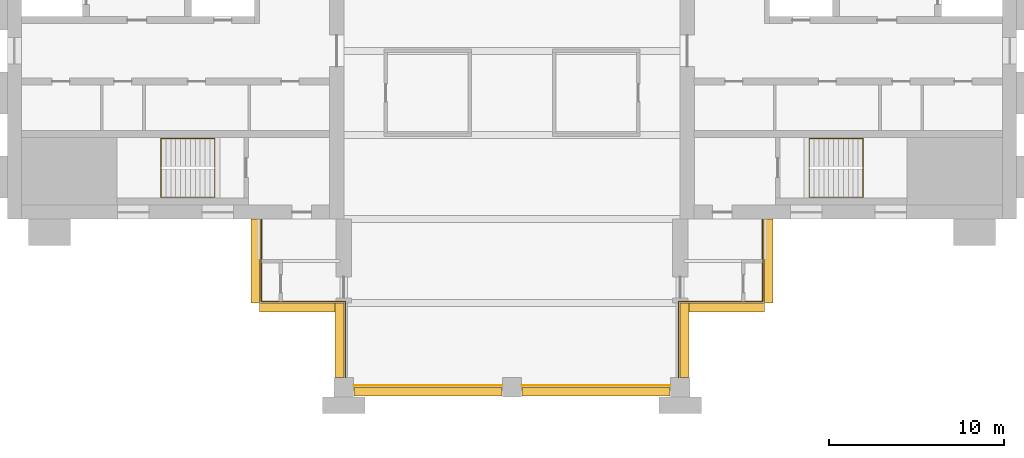
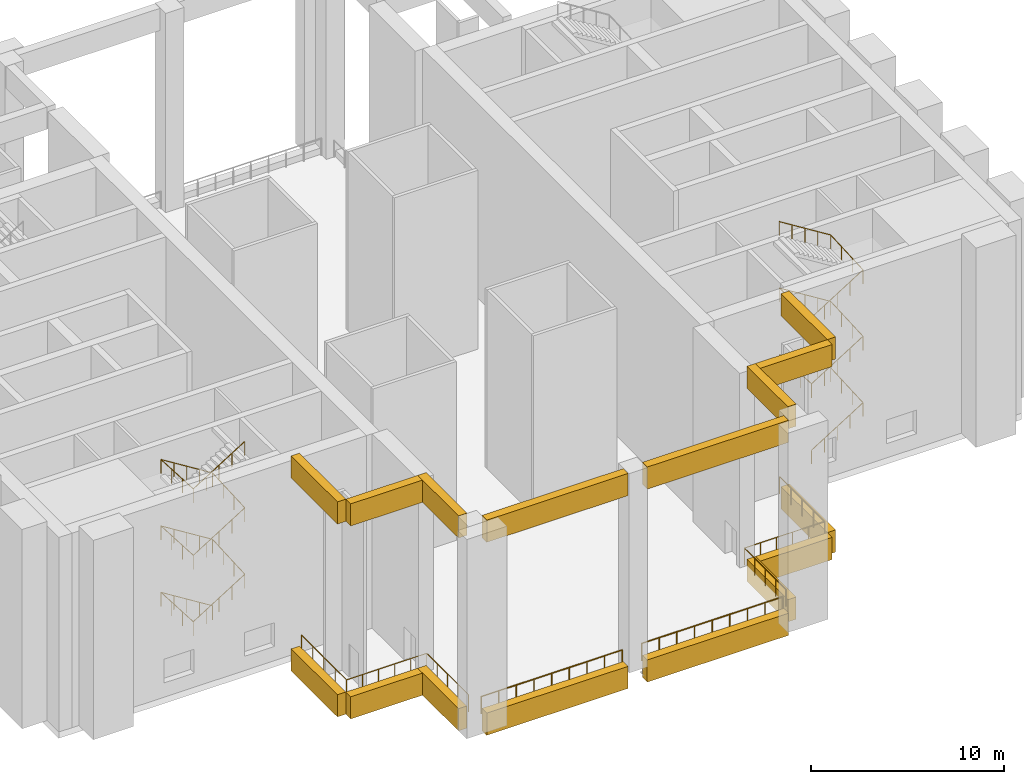
# One storey, part 7 of 8: 16 coverings, 6 railings.
"""IFC4 building model written with IfcOpenShell, lengths in metres."""

from ifc_helpers import new_model, si_unit, direction, frame, origin, origin_2d, place, context, subcontext, project, spatial, polyline, circle, outline, extrude, material, type_object, element, save


model = new_model("IFC4")

# Units and contexts
model_context = context("Model", 3, precision=1e-05, world=origin(), true_north=direction((0.0, 1.0)))
body_context = subcontext(model_context, "Body", "Model", "MODEL_VIEW")
ifc_project = project(units=[si_unit("LENGTHUNIT", "METRE"), si_unit("AREAUNIT", "SQUARE_METRE"), si_unit("VOLUMEUNIT", "CUBIC_METRE"), si_unit("PLANEANGLEUNIT", "RADIAN"), si_unit("MASSUNIT", "GRAM", prefix="KILO")], contexts=[model_context])

# Site, building, storey
site_placement = place(None, origin())
site = spatial("IfcSite", under=ifc_project, at=site_placement, CompositionType="ELEMENT")
building_placement = place(site_placement, origin())
building = spatial("IfcBuilding", under=site, at=building_placement, Name="Baori Bourse Tower", CompositionType="ELEMENT")
storey_placement = place(building_placement, frame((0.0, 0.0, 269.699951171875)))
storey = spatial("IfcBuildingStorey", under=building, at=storey_placement, Name="L60", CompositionType="ELEMENT", Elevation=269.699951171875)

# Railings
ifc_material_1 = material(Name="Powder-coated steel balustrade", Category="steel")
railing_type_1 = type_object("IfcRailingType", Name="Core stair handrail", PredefinedType="HANDRAIL", material=ifc_material_1)
railing_1_placement = place(storey_placement, frame((11.85009765625, 14.199951171875, 0.175048828125)))
element("IfcRailing", 1, at=railing_1_placement, inside=storey, type_object=railing_type_1, Name="L60 ST1 stair handrail 1", PredefinedType="HANDRAIL", context=body_context, shape_type="SweptSolid", body=[
    extrude(circle(Radius=0.02392578125, at=origin_2d()), frame((0.0, 0.0, 0.8759765625), z_axis=(-0.847998304005, 0.0, 0.529998940003), x_axis=(0.0, -1.0, 0.0)), (0.0, 0.0, 1.0), 3.632080078125),
    extrude(circle(Radius=0.02392578125, at=origin_2d()), frame((-3.080078125, 0.0, 2.80078125), z_axis=(0.0, -0.99863746249, 0.052184466191), x_axis=(1.0, 0.0, 0.0)), (0.0, 0.0, 1.0), 3.3544921875),
    extrude(circle(Radius=0.02392578125, at=origin_2d()), frame((-3.080078125, -3.349853515625, 2.97607421875), z_axis=(0.848028513186, 0.0, 0.529950602248), x_axis=(0.0, 1.0, 0.0)), (0.0, 0.0, 1.0), 3.632080078125),
    extrude(circle(Radius=0.02392578125, at=origin_2d()), frame((0.0, -3.349853515625, 4.90087890625), z_axis=(0.0, 0.99863746249, 0.052184466191), x_axis=(-1.0, 0.0, 0.0)), (0.0, 0.0, 1.0), 3.3544921875),
    extrude(circle(Radius=0.02392578125, at=origin_2d()), frame((0.0, 0.0, 5.07568359375), z_axis=(-0.847998304005, 0.0, 0.529998940003), x_axis=(0.0, -1.0, 0.0)), (0.0, 0.0, 1.0), 3.632080078125),
    extrude(circle(Radius=0.02392578125, at=origin_2d()), frame((-3.080078125, 0.0, 7.0009765625), z_axis=(0.0, -0.99863746249, 0.052184466191), x_axis=(1.0, 0.0, 0.0)), (0.0, 0.0, 1.0), 3.3544921875),
    extrude(circle(Radius=0.02392578125, at=origin_2d()), frame((-3.080078125, -3.349853515625, 7.17578125), z_axis=(0.847998304005, 0.0, 0.529998940003), x_axis=(0.0, 1.0, 0.0)), (0.0, 0.0, 1.0), 3.632080078125),
    extrude(circle(Radius=0.02392578125, at=origin_2d()), frame((0.0, -3.349853515625, 9.10107421875), z_axis=(0.0, 0.998641252765, 0.052111882296), x_axis=(-1.0, 0.0, 0.0)), (0.0, 0.0, 1.0), 3.3544921875),
    extrude(circle(Radius=0.02392578125, at=origin_2d()), frame((0.0, 0.0, 9.27587890625), z_axis=(-0.847998304005, 0.0, 0.529998940003), x_axis=(0.0, -1.0, 0.0)), (0.0, 0.0, 1.0), 3.632080078125),
    extrude(circle(Radius=0.02392578125, at=origin_2d()), frame((-3.080078125, 0.0, 11.20068359375), z_axis=(0.0, -0.99863746249, 0.052184466191), x_axis=(1.0, 0.0, 0.0)), (0.0, 0.0, 1.0), 3.3544921875),
    extrude(circle(Radius=0.02392578125, at=origin_2d()), frame((-3.080078125, -3.349853515625, 11.3759765625), z_axis=(0.847998304005, 0.0, 0.529998940003), x_axis=(0.0, 1.0, 0.0)), (0.0, 0.0, 1.0), 3.632080078125),
    extrude(circle(Radius=0.02099609375, at=origin_2d()), origin(), (0.0, 0.0, 1.0), 0.851806640625),
    extrude(circle(Radius=0.02099609375, at=origin_2d()), frame((-0.77001953125, 0.0, 0.481201171875)), (0.0, 0.0, 1.0), 0.851806640625),
    extrude(circle(Radius=0.02099609375, at=origin_2d()), frame((-1.5400390625, 0.0, 0.96240234375)), (0.0, 0.0, 1.0), 0.851806640625),
    extrude(circle(Radius=0.02099609375, at=origin_2d()), frame((-2.31005859375, 0.0, 1.44384765625)), (0.0, 0.0, 1.0), 0.851806640625),
    extrude(circle(Radius=0.02099609375, at=origin_2d()), frame((-3.080078125, 0.0, 1.925048828125)), (0.0, 0.0, 1.0), 0.851806640625),
    extrude(circle(Radius=0.02099609375, at=origin_2d()), frame((-3.080078125, -1.11669921875, 1.9833984375)), (0.0, 0.0, 1.0), 0.851806640625),
    extrude(circle(Radius=0.02099609375, at=origin_2d()), frame((-3.080078125, -2.233154296875, 2.041748046875)), (0.0, 0.0, 1.0), 0.851806640625),
    extrude(circle(Radius=0.02099609375, at=origin_2d()), frame((-3.080078125, -3.349853515625, 2.10009765625)), (0.0, 0.0, 1.0), 0.851806640625),
    extrude(circle(Radius=0.02099609375, at=origin_2d()), frame((-2.31005859375, -3.349853515625, 2.581298828125)), (0.0, 0.0, 1.0), 0.851806640625),
    extrude(circle(Radius=0.02099609375, at=origin_2d()), frame((-1.5400390625, -3.349853515625, 3.0625)), (0.0, 0.0, 1.0), 0.851806640625),
    extrude(circle(Radius=0.02099609375, at=origin_2d()), frame((-0.77001953125, -3.349853515625, 3.543701171875)), (0.0, 0.0, 1.0), 0.851806640625),
    extrude(circle(Radius=0.02099609375, at=origin_2d()), frame((0.0, -3.349853515625, 4.02490234375)), (0.0, 0.0, 1.0), 0.851806640625),
    extrude(circle(Radius=0.02099609375, at=origin_2d()), frame((0.0, -2.233154296875, 4.083251953125)), (0.0, 0.0, 1.0), 0.851806640625),
    extrude(circle(Radius=0.02099609375, at=origin_2d()), frame((0.0, -1.11669921875, 4.1416015625)), (0.0, 0.0, 1.0), 0.851806640625),
    extrude(circle(Radius=0.02099609375, at=origin_2d()), frame((0.0, 0.0, 4.199951171875)), (0.0, 0.0, 1.0), 0.851806640625),
    extrude(circle(Radius=0.02099609375, at=origin_2d()), frame((-0.77001953125, 0.0, 4.68115234375)), (0.0, 0.0, 1.0), 0.851806640625),
    extrude(circle(Radius=0.02099609375, at=origin_2d()), frame((-1.5400390625, 0.0, 5.16259765625)), (0.0, 0.0, 1.0), 0.851806640625),
    extrude(circle(Radius=0.02099609375, at=origin_2d()), frame((-2.31005859375, 0.0, 5.643798828125)), (0.0, 0.0, 1.0), 0.851806640625),
    extrude(circle(Radius=0.02099609375, at=origin_2d()), frame((-3.080078125, 0.0, 6.125)), (0.0, 0.0, 1.0), 0.851806640625),
    extrude(circle(Radius=0.02099609375, at=origin_2d()), frame((-3.080078125, -1.11669921875, 6.183349609375)), (0.0, 0.0, 1.0), 0.851806640625),
    extrude(circle(Radius=0.02099609375, at=origin_2d()), frame((-3.080078125, -2.233154296875, 6.24169921875)), (0.0, 0.0, 1.0), 0.851806640625),
    extrude(circle(Radius=0.02099609375, at=origin_2d()), frame((-3.080078125, -3.349853515625, 6.300048828125)), (0.0, 0.0, 1.0), 0.851806640625),
    extrude(circle(Radius=0.02099609375, at=origin_2d()), frame((-2.31005859375, -3.349853515625, 6.78125)), (0.0, 0.0, 1.0), 0.851806640625),
    extrude(circle(Radius=0.02099609375, at=origin_2d()), frame((-1.5400390625, -3.349853515625, 7.2626953125)), (0.0, 0.0, 1.0), 0.851806640625),
    extrude(circle(Radius=0.02099609375, at=origin_2d()), frame((-0.77001953125, -3.349853515625, 7.743896484375)), (0.0, 0.0, 1.0), 0.851806640625),
    extrude(circle(Radius=0.02099609375, at=origin_2d()), frame((0.0, -3.349853515625, 8.22509765625)), (0.0, 0.0, 1.0), 0.851806640625),
    extrude(circle(Radius=0.02099609375, at=origin_2d()), frame((0.0, -2.233154296875, 8.283447265625)), (0.0, 0.0, 1.0), 0.851806640625),
    extrude(circle(Radius=0.02099609375, at=origin_2d()), frame((0.0, -1.11669921875, 8.341552734375)), (0.0, 0.0, 1.0), 0.851806640625),
    extrude(circle(Radius=0.02099609375, at=origin_2d()), frame((0.0, 0.0, 8.39990234375)), (0.0, 0.0, 1.0), 0.851806640625),
    extrude(circle(Radius=0.02099609375, at=origin_2d()), frame((-0.77001953125, 0.0, 8.881103515625)), (0.0, 0.0, 1.0), 0.851806640625),
    extrude(circle(Radius=0.02099609375, at=origin_2d()), frame((-1.5400390625, 0.0, 9.3623046875)), (0.0, 0.0, 1.0), 0.851806640625),
    extrude(circle(Radius=0.02099609375, at=origin_2d()), frame((-2.31005859375, 0.0, 9.84375)), (0.0, 0.0, 1.0), 0.851806640625),
    extrude(circle(Radius=0.02099609375, at=origin_2d()), frame((-3.080078125, 0.0, 10.324951171875)), (0.0, 0.0, 1.0), 0.851806640625),
    extrude(circle(Radius=0.02099609375, at=origin_2d()), frame((-3.080078125, -1.11669921875, 10.38330078125)), (0.0, 0.0, 1.0), 0.851806640625),
    extrude(circle(Radius=0.02099609375, at=origin_2d()), frame((-3.080078125, -2.233154296875, 10.441650390625)), (0.0, 0.0, 1.0), 0.851806640625),
    extrude(circle(Radius=0.02099609375, at=origin_2d()), frame((-3.080078125, -3.349853515625, 10.5)), (0.0, 0.0, 1.0), 0.851806640625),
    extrude(circle(Radius=0.02099609375, at=origin_2d()), frame((-2.31005859375, -3.349853515625, 10.981201171875)), (0.0, 0.0, 1.0), 0.851806640625),
    extrude(circle(Radius=0.02099609375, at=origin_2d()), frame((-1.5400390625, -3.349853515625, 11.46240234375)), (0.0, 0.0, 1.0), 0.851806640625),
    extrude(circle(Radius=0.02099609375, at=origin_2d()), frame((-0.77001953125, -3.349853515625, 11.94384765625)), (0.0, 0.0, 1.0), 0.851806640625),
    extrude(circle(Radius=0.02099609375, at=origin_2d()), frame((0.0, -3.349853515625, 12.425048828125)), (0.0, 0.0, 1.0), 0.851806640625),
])
railing_2_placement = place(storey_placement, frame((45.75, 10.85009765625, 0.175048828125)))
element("IfcRailing", 2, at=railing_2_placement, inside=storey, type_object=railing_type_1, Name="L60 ST3 stair handrail 1", PredefinedType="HANDRAIL", context=body_context, shape_type="SweptSolid", body=[
    extrude(circle(Radius=0.02392578125, at=origin_2d()), frame((0.0, 0.0, 0.8759765625), z_axis=(0.847998304005, 0.0, 0.529998940003), x_axis=(0.0, 1.0, 0.0)), (0.0, 0.0, 1.0), 3.632080078125),
    extrude(circle(Radius=0.02392578125, at=origin_2d()), frame((3.080078125, 0.0, 2.80078125), z_axis=(0.0, 0.99863746249, 0.052184466191), x_axis=(-1.0, 0.0, 0.0)), (0.0, 0.0, 1.0), 3.3544921875),
    extrude(circle(Radius=0.02392578125, at=origin_2d()), frame((3.080078125, 3.349853515625, 2.97607421875), z_axis=(-0.848028513186, 0.0, 0.529950602248), x_axis=(0.0, -1.0, 0.0)), (0.0, 0.0, 1.0), 3.632080078125),
    extrude(circle(Radius=0.02392578125, at=origin_2d()), frame((0.0, 3.349853515625, 4.90087890625), z_axis=(0.0, -0.99863746249, 0.052184466191), x_axis=(1.0, 0.0, 0.0)), (0.0, 0.0, 1.0), 3.3544921875),
    extrude(circle(Radius=0.02392578125, at=origin_2d()), frame((0.0, 0.0, 5.07568359375), z_axis=(0.847998304005, 0.0, 0.529998940003), x_axis=(0.0, 1.0, 0.0)), (0.0, 0.0, 1.0), 3.632080078125),
    extrude(circle(Radius=0.02392578125, at=origin_2d()), frame((3.080078125, 0.0, 7.0009765625), z_axis=(0.0, 0.99863746249, 0.052184466191), x_axis=(-1.0, 0.0, 0.0)), (0.0, 0.0, 1.0), 3.3544921875),
    extrude(circle(Radius=0.02392578125, at=origin_2d()), frame((3.080078125, 3.349853515625, 7.17578125), z_axis=(-0.847998304005, 0.0, 0.529998940003), x_axis=(0.0, -1.0, 0.0)), (0.0, 0.0, 1.0), 3.632080078125),
    extrude(circle(Radius=0.02392578125, at=origin_2d()), frame((0.0, 3.349853515625, 9.10107421875), z_axis=(0.0, -0.998641252765, 0.052111882296), x_axis=(1.0, 0.0, 0.0)), (0.0, 0.0, 1.0), 3.3544921875),
    extrude(circle(Radius=0.02392578125, at=origin_2d()), frame((0.0, 0.0, 9.27587890625), z_axis=(0.847998304005, 0.0, 0.529998940003), x_axis=(0.0, 1.0, 0.0)), (0.0, 0.0, 1.0), 3.632080078125),
    extrude(circle(Radius=0.02392578125, at=origin_2d()), frame((3.080078125, 0.0, 11.20068359375), z_axis=(0.0, 0.99863746249, 0.052184466191), x_axis=(-1.0, 0.0, 0.0)), (0.0, 0.0, 1.0), 3.3544921875),
    extrude(circle(Radius=0.02392578125, at=origin_2d()), frame((3.080078125, 3.349853515625, 11.3759765625), z_axis=(-0.847998304005, 0.0, 0.529998940003), x_axis=(0.0, -1.0, 0.0)), (0.0, 0.0, 1.0), 3.632080078125),
    extrude(circle(Radius=0.02099609375, at=origin_2d()), origin(), (0.0, 0.0, 1.0), 0.851806640625),
    extrude(circle(Radius=0.02099609375, at=origin_2d()), frame((0.77001953125, 0.0, 0.481201171875)), (0.0, 0.0, 1.0), 0.851806640625),
    extrude(circle(Radius=0.02099609375, at=origin_2d()), frame((1.5400390625, 0.0, 0.96240234375)), (0.0, 0.0, 1.0), 0.851806640625),
    extrude(circle(Radius=0.02099609375, at=origin_2d()), frame((2.31005859375, 0.0, 1.44384765625)), (0.0, 0.0, 1.0), 0.851806640625),
    extrude(circle(Radius=0.02099609375, at=origin_2d()), frame((3.080078125, 0.0, 1.925048828125)), (0.0, 0.0, 1.0), 0.851806640625),
    extrude(circle(Radius=0.02099609375, at=origin_2d()), frame((3.080078125, 1.11669921875, 1.9833984375)), (0.0, 0.0, 1.0), 0.851806640625),
    extrude(circle(Radius=0.02099609375, at=origin_2d()), frame((3.080078125, 2.233154296875, 2.041748046875)), (0.0, 0.0, 1.0), 0.851806640625),
    extrude(circle(Radius=0.02099609375, at=origin_2d()), frame((3.080078125, 3.349853515625, 2.10009765625)), (0.0, 0.0, 1.0), 0.851806640625),
    extrude(circle(Radius=0.02099609375, at=origin_2d()), frame((2.31005859375, 3.349853515625, 2.581298828125)), (0.0, 0.0, 1.0), 0.851806640625),
    extrude(circle(Radius=0.02099609375, at=origin_2d()), frame((1.5400390625, 3.349853515625, 3.0625)), (0.0, 0.0, 1.0), 0.851806640625),
    extrude(circle(Radius=0.02099609375, at=origin_2d()), frame((0.77001953125, 3.349853515625, 3.543701171875)), (0.0, 0.0, 1.0), 0.851806640625),
    extrude(circle(Radius=0.02099609375, at=origin_2d()), frame((0.0, 3.349853515625, 4.02490234375)), (0.0, 0.0, 1.0), 0.851806640625),
    extrude(circle(Radius=0.02099609375, at=origin_2d()), frame((0.0, 2.233154296875, 4.083251953125)), (0.0, 0.0, 1.0), 0.851806640625),
    extrude(circle(Radius=0.02099609375, at=origin_2d()), frame((0.0, 1.11669921875, 4.1416015625)), (0.0, 0.0, 1.0), 0.851806640625),
    extrude(circle(Radius=0.02099609375, at=origin_2d()), frame((0.0, 0.0, 4.199951171875)), (0.0, 0.0, 1.0), 0.851806640625),
    extrude(circle(Radius=0.02099609375, at=origin_2d()), frame((0.77001953125, 0.0, 4.68115234375)), (0.0, 0.0, 1.0), 0.851806640625),
    extrude(circle(Radius=0.02099609375, at=origin_2d()), frame((1.5400390625, 0.0, 5.16259765625)), (0.0, 0.0, 1.0), 0.851806640625),
    extrude(circle(Radius=0.02099609375, at=origin_2d()), frame((2.31005859375, 0.0, 5.643798828125)), (0.0, 0.0, 1.0), 0.851806640625),
    extrude(circle(Radius=0.02099609375, at=origin_2d()), frame((3.080078125, 0.0, 6.125)), (0.0, 0.0, 1.0), 0.851806640625),
    extrude(circle(Radius=0.02099609375, at=origin_2d()), frame((3.080078125, 1.11669921875, 6.183349609375)), (0.0, 0.0, 1.0), 0.851806640625),
    extrude(circle(Radius=0.02099609375, at=origin_2d()), frame((3.080078125, 2.233154296875, 6.24169921875)), (0.0, 0.0, 1.0), 0.851806640625),
    extrude(circle(Radius=0.02099609375, at=origin_2d()), frame((3.080078125, 3.349853515625, 6.300048828125)), (0.0, 0.0, 1.0), 0.851806640625),
    extrude(circle(Radius=0.02099609375, at=origin_2d()), frame((2.31005859375, 3.349853515625, 6.78125)), (0.0, 0.0, 1.0), 0.851806640625),
    extrude(circle(Radius=0.02099609375, at=origin_2d()), frame((1.5400390625, 3.349853515625, 7.2626953125)), (0.0, 0.0, 1.0), 0.851806640625),
    extrude(circle(Radius=0.02099609375, at=origin_2d()), frame((0.77001953125, 3.349853515625, 7.743896484375)), (0.0, 0.0, 1.0), 0.851806640625),
    extrude(circle(Radius=0.02099609375, at=origin_2d()), frame((0.0, 3.349853515625, 8.22509765625)), (0.0, 0.0, 1.0), 0.851806640625),
    extrude(circle(Radius=0.02099609375, at=origin_2d()), frame((0.0, 2.233154296875, 8.283447265625)), (0.0, 0.0, 1.0), 0.851806640625),
    extrude(circle(Radius=0.02099609375, at=origin_2d()), frame((0.0, 1.11669921875, 8.341552734375)), (0.0, 0.0, 1.0), 0.851806640625),
    extrude(circle(Radius=0.02099609375, at=origin_2d()), frame((0.0, 0.0, 8.39990234375)), (0.0, 0.0, 1.0), 0.851806640625),
    extrude(circle(Radius=0.02099609375, at=origin_2d()), frame((0.77001953125, 0.0, 8.881103515625)), (0.0, 0.0, 1.0), 0.851806640625),
    extrude(circle(Radius=0.02099609375, at=origin_2d()), frame((1.5400390625, 0.0, 9.3623046875)), (0.0, 0.0, 1.0), 0.851806640625),
    extrude(circle(Radius=0.02099609375, at=origin_2d()), frame((2.31005859375, 0.0, 9.84375)), (0.0, 0.0, 1.0), 0.851806640625),
    extrude(circle(Radius=0.02099609375, at=origin_2d()), frame((3.080078125, 0.0, 10.324951171875)), (0.0, 0.0, 1.0), 0.851806640625),
    extrude(circle(Radius=0.02099609375, at=origin_2d()), frame((3.080078125, 1.11669921875, 10.38330078125)), (0.0, 0.0, 1.0), 0.851806640625),
    extrude(circle(Radius=0.02099609375, at=origin_2d()), frame((3.080078125, 2.233154296875, 10.441650390625)), (0.0, 0.0, 1.0), 0.851806640625),
    extrude(circle(Radius=0.02099609375, at=origin_2d()), frame((3.080078125, 3.349853515625, 10.5)), (0.0, 0.0, 1.0), 0.851806640625),
    extrude(circle(Radius=0.02099609375, at=origin_2d()), frame((2.31005859375, 3.349853515625, 10.981201171875)), (0.0, 0.0, 1.0), 0.851806640625),
    extrude(circle(Radius=0.02099609375, at=origin_2d()), frame((1.5400390625, 3.349853515625, 11.46240234375)), (0.0, 0.0, 1.0), 0.851806640625),
    extrude(circle(Radius=0.02099609375, at=origin_2d()), frame((0.77001953125, 3.349853515625, 11.94384765625)), (0.0, 0.0, 1.0), 0.851806640625),
    extrude(circle(Radius=0.02099609375, at=origin_2d()), frame((0.0, 3.349853515625, 12.425048828125)), (0.0, 0.0, 1.0), 0.851806640625),
])

# Coverings
ifc_material_2 = material(Name="Pale anodised aluminium", Category="aluminium")
covering_type = type_object("IfcCoveringType", Name="ED2 Portal fascia band", PredefinedType="CLADDING", material=ifc_material_2)
for number, where, name in (
    (3, (0.0, 0.0, -1.0), "Portal fascia band deck L60 17"),
    (4, (0.0, 0.0, 11.199951171875), "Portal fascia band head L60 18"),
):
    element("IfcCovering", number, at=place(storey_placement, frame(where)), inside=storey, type_object=covering_type, Name=name, PredefinedType="CLADDING", context=body_context, shape_type="SweptSolid", body=[
        extrude(outline(polyline([(14.39990234375, 4.800048828125), (14.39990234375, 9.60009765625), (13.89990234375, 9.60009765625), (13.89990234375, 4.800048828125), (14.39990234375, 4.800048828125)])), origin(), (0.0, 0.0, 1.0), 1.400146484375),
    ])
for number, where, name in (
    (5, (0.0, 0.0, -1.0), "Portal fascia band deck L60 19"),
    (6, (0.0, 0.0, 11.199951171875), "Portal fascia band head L60 20"),
):
    element("IfcCovering", number, at=place(storey_placement, frame(where)), inside=storey, type_object=covering_type, Name=name, PredefinedType="CLADDING", context=body_context, shape_type="SweptSolid", body=[
        extrude(outline(polyline([(19.199951171875, 4.800048828125), (14.39990234375, 4.800048828125), (14.39990234375, 4.300048828125), (19.199951171875, 4.300048828125), (19.199951171875, 4.800048828125)])), origin(), (0.0, 0.0, 1.0), 1.400146484375),
    ])
for number, where, name in (
    (7, (0.0, 0.0, -1.0), "Portal fascia band deck L60 21"),
    (8, (0.0, 0.0, 11.199951171875), "Portal fascia band head L60 22"),
):
    element("IfcCovering", number, at=place(storey_placement, frame(where)), inside=storey, type_object=covering_type, Name=name, PredefinedType="CLADDING", context=body_context, shape_type="SweptSolid", body=[
        extrude(outline(polyline([(19.199951171875, 0.570068359375), (19.199951171875, 4.800048828125), (18.699951171875, 4.800048828125), (18.699951171875, 0.570068359375), (19.199951171875, 0.570068359375)])), origin(), (0.0, 0.0, 1.0), 1.400146484375),
    ])
for number, where, name in (
    (9, (0.0, 0.0, -1.0), "Portal fascia band deck L60 23"),
    (10, (0.0, 0.0, 11.199951171875), "Portal fascia band head L60 24"),
):
    element("IfcCovering", number, at=place(storey_placement, frame(where)), inside=storey, type_object=covering_type, Name=name, PredefinedType="CLADDING", context=body_context, shape_type="SweptSolid", body=[
        extrude(outline(polyline([(28.22998046875, 0.0), (19.77001953125, 0.0), (19.77001953125, -0.5), (28.22998046875, -0.5), (28.22998046875, 0.0)])), origin(), (0.0, 0.0, 1.0), 1.400146484375),
    ])
for number, where, name in (
    (11, (0.0, 0.0, -1.0), "Portal fascia band deck L60 25"),
    (12, (0.0, 0.0, 11.199951171875), "Portal fascia band head L60 26"),
):
    element("IfcCovering", number, at=place(storey_placement, frame(where)), inside=storey, type_object=covering_type, Name=name, PredefinedType="CLADDING", context=body_context, shape_type="SweptSolid", body=[
        extrude(outline(polyline([(37.830078125, 0.0), (29.3701171875, 0.0), (29.3701171875, -0.5), (37.830078125, -0.5), (37.830078125, 0.0)])), origin(), (0.0, 0.0, 1.0), 1.400146484375),
    ])
for number, where, name in (
    (13, (0.0, 0.0, -1.0), "Portal fascia band deck L60 27"),
    (14, (0.0, 0.0, 11.199951171875), "Portal fascia band head L60 28"),
):
    element("IfcCovering", number, at=place(storey_placement, frame(where)), inside=storey, type_object=covering_type, Name=name, PredefinedType="CLADDING", context=body_context, shape_type="SweptSolid", body=[
        extrude(outline(polyline([(38.39990234375, 4.800048828125), (38.39990234375, 0.570068359375), (38.89990234375, 0.570068359375), (38.89990234375, 4.800048828125), (38.39990234375, 4.800048828125)])), origin(), (0.0, 0.0, 1.0), 1.400146484375),
    ])
for number, where, name in (
    (15, (0.0, 0.0, -1.0), "Portal fascia band deck L60 29"),
    (16, (0.0, 0.0, 11.199951171875), "Portal fascia band head L60 30"),
):
    element("IfcCovering", number, at=place(storey_placement, frame(where)), inside=storey, type_object=covering_type, Name=name, PredefinedType="CLADDING", context=body_context, shape_type="SweptSolid", body=[
        extrude(outline(polyline([(43.199951171875, 4.800048828125), (38.39990234375, 4.800048828125), (38.39990234375, 4.300048828125), (43.199951171875, 4.300048828125), (43.199951171875, 4.800048828125)])), origin(), (0.0, 0.0, 1.0), 1.400146484375),
    ])
for number, where, name in (
    (17, (0.0, 0.0, -1.0), "Portal fascia band deck L60 31"),
    (18, (0.0, 0.0, 11.199951171875), "Portal fascia band head L60 32"),
):
    element("IfcCovering", number, at=place(storey_placement, frame(where)), inside=storey, type_object=covering_type, Name=name, PredefinedType="CLADDING", context=body_context, shape_type="SweptSolid", body=[
        extrude(outline(polyline([(43.199951171875, 9.60009765625), (43.199951171875, 4.800048828125), (43.699951171875, 4.800048828125), (43.699951171875, 9.60009765625), (43.199951171875, 9.60009765625)])), origin(), (0.0, 0.0, 1.0), 1.400146484375),
    ])

# Railings
ifc_material_3 = material(Name="Stainless steel", Category="steel")
railing_type_2 = type_object("IfcRailingType", Name="GD1 Guard", PredefinedType="GUARDRAIL", material=ifc_material_3)
railing_3_placement = place(storey_placement, frame((14.5, 9.570068359375, 0.0)))
element("IfcRailing", 19, at=railing_3_placement, inside=storey, type_object=railing_type_2, Name="Guard sky deck L60 5", PredefinedType="GUARDRAIL", context=body_context, shape_type="SweptSolid", body=[
    extrude(circle(Radius=0.02392578125, at=origin_2d()), frame((0.0, 0.0, 1.076171875), z_axis=(0.0, -1.0, 0.0), x_axis=(1.0, 0.0, 0.0)), (0.0, 0.0, 1.0), 4.670166015625),
    extrude(circle(Radius=0.02392578125, at=origin_2d()), frame((0.0, -4.670166015625, 1.076171875), z_axis=(1.0, 0.0, 0.0), x_axis=(0.0, 1.0, 0.0)), (0.0, 0.0, 1.0), 4.800048828125),
    extrude(circle(Radius=0.02392578125, at=origin_2d()), frame((4.800048828125, -4.670166015625, 1.076171875), z_axis=(0.0, -1.0, 0.0), x_axis=(1.0, 0.0, 0.0)), (0.0, 0.0, 1.0), 4.31982421875),
    extrude(circle(Radius=0.02099609375, at=origin_2d()), origin(), (0.0, 0.0, 1.0), 1.052001953125),
    extrude(circle(Radius=0.02099609375, at=origin_2d()), frame((0.0, -1.16748046875, 0.0)), (0.0, 0.0, 1.0), 1.052001953125),
    extrude(circle(Radius=0.02099609375, at=origin_2d()), frame((0.0, -2.3349609375, 0.0)), (0.0, 0.0, 1.0), 1.052001953125),
    extrude(circle(Radius=0.02099609375, at=origin_2d()), frame((0.0, -3.502685546875, 0.0)), (0.0, 0.0, 1.0), 1.052001953125),
    extrude(circle(Radius=0.02099609375, at=origin_2d()), frame((0.0, -4.670166015625, 0.0)), (0.0, 0.0, 1.0), 1.052001953125),
    extrude(circle(Radius=0.02099609375, at=origin_2d()), frame((0.9599609375, -4.670166015625, 0.0)), (0.0, 0.0, 1.0), 1.052001953125),
    extrude(circle(Radius=0.02099609375, at=origin_2d()), frame((1.919921875, -4.670166015625, 0.0)), (0.0, 0.0, 1.0), 1.052001953125),
    extrude(circle(Radius=0.02099609375, at=origin_2d()), frame((2.880126953125, -4.670166015625, 0.0)), (0.0, 0.0, 1.0), 1.052001953125),
    extrude(circle(Radius=0.02099609375, at=origin_2d()), frame((3.840087890625, -4.670166015625, 0.0)), (0.0, 0.0, 1.0), 1.052001953125),
    extrude(circle(Radius=0.02099609375, at=origin_2d()), frame((4.800048828125, -4.670166015625, 0.0)), (0.0, 0.0, 1.0), 1.052001953125),
    extrude(circle(Radius=0.02099609375, at=origin_2d()), frame((4.800048828125, -5.75, 0.0)), (0.0, 0.0, 1.0), 1.052001953125),
    extrude(circle(Radius=0.02099609375, at=origin_2d()), frame((4.800048828125, -6.830078125, 0.0)), (0.0, 0.0, 1.0), 1.052001953125),
    extrude(circle(Radius=0.02099609375, at=origin_2d()), frame((4.800048828125, -7.91015625, 0.0)), (0.0, 0.0, 1.0), 1.052001953125),
    extrude(circle(Radius=0.02099609375, at=origin_2d()), frame((4.800048828125, -8.989990234375, 0.0)), (0.0, 0.0, 1.0), 1.052001953125),
])
railing_4_placement = place(storey_placement, frame((19.780029296875, 0.10009765625, 0.0)))
element("IfcRailing", 20, at=railing_4_placement, inside=storey, type_object=railing_type_2, Name="Guard sky deck L60 6", PredefinedType="GUARDRAIL", context=body_context, shape_type="SweptSolid", body=[
    extrude(circle(Radius=0.02392578125, at=origin_2d()), frame((0.0, 0.0, 1.076171875), z_axis=(1.0, 0.0, 0.0), x_axis=(0.0, 1.0, 0.0)), (0.0, 0.0, 1.0), 8.43994140625),
    extrude(circle(Radius=0.02099609375, at=origin_2d()), origin(), (0.0, 0.0, 1.0), 1.052001953125),
    extrude(circle(Radius=0.02099609375, at=origin_2d()), frame((1.054931640625, 0.0, 0.0)), (0.0, 0.0, 1.0), 1.052001953125),
    extrude(circle(Radius=0.02099609375, at=origin_2d()), frame((2.10986328125, 0.0, 0.0)), (0.0, 0.0, 1.0), 1.052001953125),
    extrude(circle(Radius=0.02099609375, at=origin_2d()), frame((3.1650390625, 0.0, 0.0)), (0.0, 0.0, 1.0), 1.052001953125),
    extrude(circle(Radius=0.02099609375, at=origin_2d()), frame((4.219970703125, 0.0, 0.0)), (0.0, 0.0, 1.0), 1.052001953125),
    extrude(circle(Radius=0.02099609375, at=origin_2d()), frame((5.27490234375, 0.0, 0.0)), (0.0, 0.0, 1.0), 1.052001953125),
    extrude(circle(Radius=0.02099609375, at=origin_2d()), frame((6.330078125, 0.0, 0.0)), (0.0, 0.0, 1.0), 1.052001953125),
    extrude(circle(Radius=0.02099609375, at=origin_2d()), frame((7.385009765625, 0.0, 0.0)), (0.0, 0.0, 1.0), 1.052001953125),
    extrude(circle(Radius=0.02099609375, at=origin_2d()), frame((8.43994140625, 0.0, 0.0)), (0.0, 0.0, 1.0), 1.052001953125),
])
railing_5_placement = place(storey_placement, frame((29.3798828125, 0.10009765625, 0.0)))
element("IfcRailing", 21, at=railing_5_placement, inside=storey, type_object=railing_type_2, Name="Guard sky deck L60 7", PredefinedType="GUARDRAIL", context=body_context, shape_type="SweptSolid", body=[
    extrude(circle(Radius=0.02392578125, at=origin_2d()), frame((0.0, 0.0, 1.076171875), z_axis=(1.0, 0.0, 0.0), x_axis=(0.0, 1.0, 0.0)), (0.0, 0.0, 1.0), 8.440185546875),
    extrude(circle(Radius=0.02099609375, at=origin_2d()), origin(), (0.0, 0.0, 1.0), 1.052001953125),
    extrude(circle(Radius=0.02099609375, at=origin_2d()), frame((1.054931640625, 0.0, 0.0)), (0.0, 0.0, 1.0), 1.052001953125),
    extrude(circle(Radius=0.02099609375, at=origin_2d()), frame((2.110107421875, 0.0, 0.0)), (0.0, 0.0, 1.0), 1.052001953125),
    extrude(circle(Radius=0.02099609375, at=origin_2d()), frame((3.1650390625, 0.0, 0.0)), (0.0, 0.0, 1.0), 1.052001953125),
    extrude(circle(Radius=0.02099609375, at=origin_2d()), frame((4.22021484375, 0.0, 0.0)), (0.0, 0.0, 1.0), 1.052001953125),
    extrude(circle(Radius=0.02099609375, at=origin_2d()), frame((5.275146484375, 0.0, 0.0)), (0.0, 0.0, 1.0), 1.052001953125),
    extrude(circle(Radius=0.02099609375, at=origin_2d()), frame((6.330078125, 0.0, 0.0)), (0.0, 0.0, 1.0), 1.052001953125),
    extrude(circle(Radius=0.02099609375, at=origin_2d()), frame((7.38525390625, 0.0, 0.0)), (0.0, 0.0, 1.0), 1.052001953125),
    extrude(circle(Radius=0.02099609375, at=origin_2d()), frame((8.440185546875, 0.0, 0.0)), (0.0, 0.0, 1.0), 1.052001953125),
])
railing_6_placement = place(storey_placement, frame((38.300048828125, 0.580078125, 0.0)))
element("IfcRailing", 22, at=railing_6_placement, inside=storey, type_object=railing_type_2, Name="Guard sky deck L60 8", PredefinedType="GUARDRAIL", context=body_context, shape_type="SweptSolid", body=[
    extrude(circle(Radius=0.02392578125, at=origin_2d()), frame((0.0, 0.0, 1.076171875), z_axis=(0.0, 1.0, 0.0), x_axis=(-1.0, 0.0, 0.0)), (0.0, 0.0, 1.0), 4.31982421875),
    extrude(circle(Radius=0.02392578125, at=origin_2d()), frame((0.0, 4.31982421875, 1.076171875), z_axis=(1.0, 0.0, 0.0), x_axis=(0.0, 1.0, 0.0)), (0.0, 0.0, 1.0), 4.800048828125),
    extrude(circle(Radius=0.02392578125, at=origin_2d()), frame((4.800048828125, 4.31982421875, 1.076171875), z_axis=(0.0, 1.0, 0.0), x_axis=(-1.0, 0.0, 0.0)), (0.0, 0.0, 1.0), 4.670166015625),
    extrude(circle(Radius=0.02099609375, at=origin_2d()), origin(), (0.0, 0.0, 1.0), 1.052001953125),
    extrude(circle(Radius=0.02099609375, at=origin_2d()), frame((0.0, 1.080078125, 0.0)), (0.0, 0.0, 1.0), 1.052001953125),
    extrude(circle(Radius=0.02099609375, at=origin_2d()), frame((0.0, 2.159912109375, 0.0)), (0.0, 0.0, 1.0), 1.052001953125),
    extrude(circle(Radius=0.02099609375, at=origin_2d()), frame((0.0, 3.23974609375, 0.0)), (0.0, 0.0, 1.0), 1.052001953125),
    extrude(circle(Radius=0.02099609375, at=origin_2d()), frame((0.0, 4.31982421875, 0.0)), (0.0, 0.0, 1.0), 1.052001953125),
    extrude(circle(Radius=0.02099609375, at=origin_2d()), frame((0.9599609375, 4.31982421875, 0.0)), (0.0, 0.0, 1.0), 1.052001953125),
    extrude(circle(Radius=0.02099609375, at=origin_2d()), frame((1.919921875, 4.31982421875, 0.0)), (0.0, 0.0, 1.0), 1.052001953125),
    extrude(circle(Radius=0.02099609375, at=origin_2d()), frame((2.880126953125, 4.31982421875, 0.0)), (0.0, 0.0, 1.0), 1.052001953125),
    extrude(circle(Radius=0.02099609375, at=origin_2d()), frame((3.840087890625, 4.31982421875, 0.0)), (0.0, 0.0, 1.0), 1.052001953125),
    extrude(circle(Radius=0.02099609375, at=origin_2d()), frame((4.800048828125, 4.31982421875, 0.0)), (0.0, 0.0, 1.0), 1.052001953125),
    extrude(circle(Radius=0.02099609375, at=origin_2d()), frame((4.800048828125, 5.4873046875, 0.0)), (0.0, 0.0, 1.0), 1.052001953125),
    extrude(circle(Radius=0.02099609375, at=origin_2d()), frame((4.800048828125, 6.65478515625, 0.0)), (0.0, 0.0, 1.0), 1.052001953125),
    extrude(circle(Radius=0.02099609375, at=origin_2d()), frame((4.800048828125, 7.822509765625, 0.0)), (0.0, 0.0, 1.0), 1.052001953125),
    extrude(circle(Radius=0.02099609375, at=origin_2d()), frame((4.800048828125, 8.989990234375, 0.0)), (0.0, 0.0, 1.0), 1.052001953125),
])

save(model, "model.ifc")
